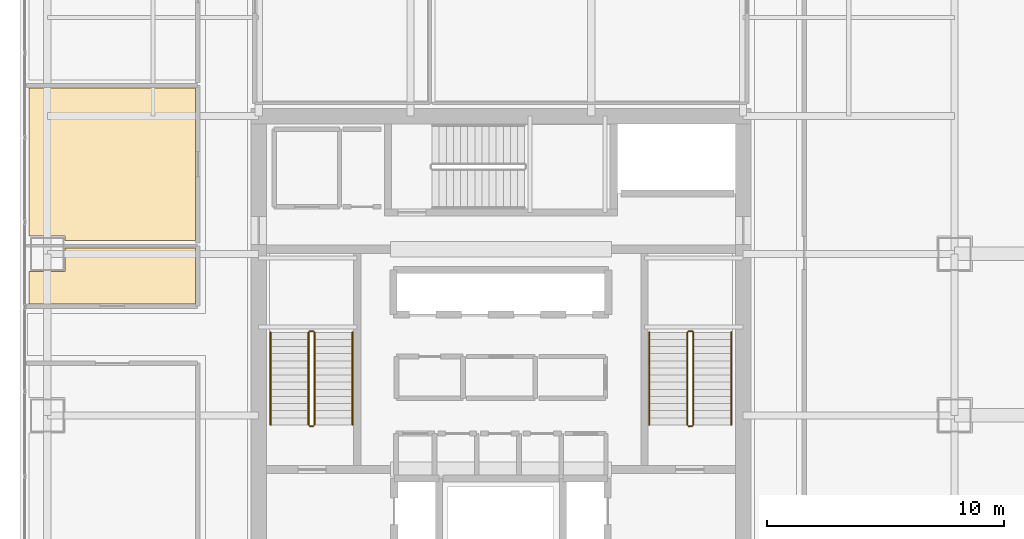
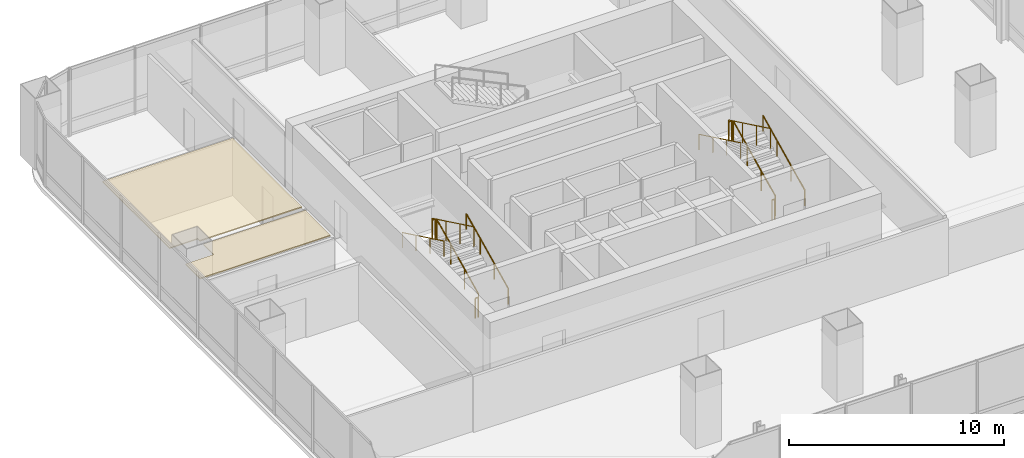
# One storey, part 33 of 36: 12 railings, 2 coverings.
"""IFC4 building model written with IfcOpenShell, lengths in metres."""

from ifc_helpers import new_model, si_unit, direction, frame, origin, origin_2d, place, context, subcontext, project, spatial, polyline, circle, outline, extrude, material, layer, layer_set, type_object, element, save


model = new_model("IFC4")

# Units and contexts
model_context = context("Model", 3, precision=1e-05, world=origin(), true_north=direction((0.0, 1.0)))
body_context = subcontext(model_context, "Body", "Model", "MODEL_VIEW")
ifc_project = project(units=[si_unit("LENGTHUNIT", "METRE"), si_unit("AREAUNIT", "SQUARE_METRE"), si_unit("VOLUMEUNIT", "CUBIC_METRE"), si_unit("PLANEANGLEUNIT", "RADIAN"), si_unit("MASSUNIT", "GRAM", prefix="KILO")], contexts=[model_context])

# Site, building, storey
site_placement = place(None, origin())
site = spatial("IfcSite", under=ifc_project, at=site_placement, CompositionType="ELEMENT")
building_placement = place(site_placement, origin())
building = spatial("IfcBuilding", under=site, at=building_placement, Name="Punatoya Terracotta Tower", CompositionType="ELEMENT")
storey_placement = place(building_placement, frame((0.0, 0.0, 212.699951171875)))
storey = spatial("IfcBuildingStorey", under=building, at=storey_placement, Name="L50", CompositionType="ELEMENT", Elevation=212.699951171875)

# Coverings
ifc_material_1 = material(Name="Acoustic Mineral Fibre Ceiling")
ifc_layer = layer(ifc_material_1, 0.06005859375)
ifc_layer_set = layer_set([ifc_layer], Name="Acoustic Mineral Fibre Ceiling")
covering_type = type_object("IfcCoveringType", Name="COV-CEIL-60", PredefinedType="CEILING", material=ifc_layer_set)
covering_1_placement = place(storey_placement, frame((0.0, 0.0, 3.219970703125)))
element("IfcCovering", 1, at=covering_1_placement, inside=storey, type_object=covering_type, Name="L50 Open-Plan Collaborative Workshop Room Acoustic Ceiling", PredefinedType="CEILING", context=body_context, shape_type="SweptSolid", body=[
    extrude(outline(polyline([(-19.8701171875, 2.64990234375), (-19.8701171875, 1.300048828125), (-12.8701171875, 1.300048828125), (-12.8701171875, 3.639892578125), (-18.35009765625, 3.639892578125), (-18.35009765625, 2.64990234375), (-19.8701171875, 2.64990234375)])), origin(), (0.0, 0.0, 1.0), 0.06005859375),
])
covering_2_placement = place(storey_placement, frame((0.0, 0.0, 3.219970703125)))
element("IfcCovering", 2, at=covering_2_placement, inside=storey, type_object=covering_type, Name="L50 Breakout Tea Pantry Acoustic Ceiling", PredefinedType="CEILING", context=body_context, shape_type="SweptSolid", body=[
    extrude(outline(polyline([(-19.8701171875, 4.14990234375), (-18.35009765625, 4.14990234375), (-18.35009765625, 3.9599609375), (-12.8701171875, 3.9599609375), (-12.8701171875, 10.39404296875), (-19.8701171875, 10.39404296875), (-19.8701171875, 4.14990234375)])), origin(), (0.0, 0.0, 1.0), 0.06005859375),
])

# Railings
ifc_material_2 = material(Name="Steel S355", Category="steel")
railing_type_1 = type_object("IfcRailingType", Name="RLG-GRD-1150", PredefinedType="GUARDRAIL", material=ifc_material_2)
railing_1_placement = place(storey_placement, frame((-7.85009765625, -3.800048828125, 0.144775390625)))
element("IfcRailing", 3, at=railing_1_placement, inside=storey, type_object=railing_type_1, Name="L50 ST-1 stair guard 1", PredefinedType="GUARDRAIL", context=body_context, shape_type="SweptSolid", body=[
    extrude(circle(Radius=0.02392578125, at=origin_2d()), frame((0.0, 0.0, 1.1259765625), z_axis=(0.0, 0.900773802044, 0.434288564841), x_axis=(-1.0, 0.0, 0.0)), (0.0, 0.0, 1.0), 4.329833984375),
    extrude(circle(Radius=0.02099609375, at=origin_2d()), origin(), (0.0, 0.0, 1.0), 1.101806640625),
    extrude(circle(Radius=0.02099609375, at=origin_2d()), frame((0.0, 1.300048828125, 0.626708984375)), (0.0, 0.0, 1.0), 1.101806640625),
    extrude(circle(Radius=0.02099609375, at=origin_2d()), frame((0.0, 2.60009765625, 1.253662109375)), (0.0, 0.0, 1.0), 1.101806640625),
    extrude(circle(Radius=0.02099609375, at=origin_2d()), frame((0.0, 3.900146484375, 1.88037109375)), (0.0, 0.0, 1.0), 1.101806640625),
])
railing_2_placement = place(storey_placement, frame((-7.89990234375, 0.14990234375, 2.025146484375)))
element("IfcRailing", 4, at=railing_2_placement, inside=storey, type_object=railing_type_1, Name="L50 ST-1 stair guard 2", PredefinedType="GUARDRAIL", context=body_context, shape_type="SweptSolid", body=[
    extrude(circle(Radius=0.02392578125, at=origin_2d()), frame((0.0, 0.0, 1.1259765625), z_axis=(-1.0, 0.0, 0.0), x_axis=(0.0, -1.0, 0.0)), (0.0, 0.0, 1.0), 0.150146484375),
    extrude(circle(Radius=0.02099609375, at=origin_2d()), origin(), (0.0, 0.0, 1.0), 1.101806640625),
    extrude(circle(Radius=0.02099609375, at=origin_2d()), frame((-0.150146484375, 0.0, 0.0)), (0.0, 0.0, 1.0), 1.101806640625),
])
railing_3_placement = place(storey_placement, frame((-8.10009765625, 0.10009765625, 2.169677734375)))
element("IfcRailing", 5, at=railing_3_placement, inside=storey, type_object=railing_type_1, Name="L50 ST-1 stair guard 3", PredefinedType="GUARDRAIL", context=body_context, shape_type="SweptSolid", body=[
    extrude(circle(Radius=0.02392578125, at=origin_2d()), frame((0.0, 0.0, 1.1259765625), z_axis=(0.0, -0.900773802044, 0.434288564841), x_axis=(1.0, 0.0, 0.0)), (0.0, 0.0, 1.0), 4.329833984375),
    extrude(circle(Radius=0.02099609375, at=origin_2d()), origin(), (0.0, 0.0, 1.0), 1.101806640625),
    extrude(circle(Radius=0.02099609375, at=origin_2d()), frame((0.0, -1.300048828125, 0.626708984375)), (0.0, 0.0, 1.0), 1.101806640625),
    extrude(circle(Radius=0.02099609375, at=origin_2d()), frame((0.0, -2.60009765625, 1.253662109375)), (0.0, 0.0, 1.0), 1.101806640625),
    extrude(circle(Radius=0.02099609375, at=origin_2d()), frame((0.0, -3.900146484375, 1.88037109375)), (0.0, 0.0, 1.0), 1.101806640625),
])
railing_4_placement = place(storey_placement, frame((-7.89990234375, -3.85009765625, 0.0)))
element("IfcRailing", 6, at=railing_4_placement, inside=storey, type_object=railing_type_1, Name="L50 ST-1 stair guard 4", PredefinedType="GUARDRAIL", context=body_context, shape_type="SweptSolid", body=[
    extrude(circle(Radius=0.02392578125, at=origin_2d()), frame((0.0, 0.0, 1.1259765625), z_axis=(-1.0, 0.0, 0.0), x_axis=(0.0, -1.0, 0.0)), (0.0, 0.0, 1.0), 0.150146484375),
    extrude(circle(Radius=0.02099609375, at=origin_2d()), origin(), (0.0, 0.0, 1.0), 1.101806640625),
    extrude(circle(Radius=0.02099609375, at=origin_2d()), frame((-0.150146484375, 0.0, 0.0)), (0.0, 0.0, 1.0), 1.101806640625),
])
railing_5_placement = place(storey_placement, frame((8.10009765625, -3.800048828125, 0.144775390625)))
element("IfcRailing", 7, at=railing_5_placement, inside=storey, type_object=railing_type_1, Name="L50 ST-2 stair guard 1", PredefinedType="GUARDRAIL", context=body_context, shape_type="SweptSolid", body=[
    extrude(circle(Radius=0.02392578125, at=origin_2d()), frame((0.0, 0.0, 1.1259765625), z_axis=(0.0, 0.900773802044, 0.434288564841), x_axis=(-1.0, 0.0, 0.0)), (0.0, 0.0, 1.0), 4.329833984375),
    extrude(circle(Radius=0.02099609375, at=origin_2d()), origin(), (0.0, 0.0, 1.0), 1.101806640625),
    extrude(circle(Radius=0.02099609375, at=origin_2d()), frame((0.0, 1.300048828125, 0.626708984375)), (0.0, 0.0, 1.0), 1.101806640625),
    extrude(circle(Radius=0.02099609375, at=origin_2d()), frame((0.0, 2.60009765625, 1.253662109375)), (0.0, 0.0, 1.0), 1.101806640625),
    extrude(circle(Radius=0.02099609375, at=origin_2d()), frame((0.0, 3.900146484375, 1.88037109375)), (0.0, 0.0, 1.0), 1.101806640625),
])
railing_6_placement = place(storey_placement, frame((8.050048828125, 0.14990234375, 2.025146484375)))
element("IfcRailing", 8, at=railing_6_placement, inside=storey, type_object=railing_type_1, Name="L50 ST-2 stair guard 2", PredefinedType="GUARDRAIL", context=body_context, shape_type="SweptSolid", body=[
    extrude(circle(Radius=0.02392578125, at=origin_2d()), frame((0.0, 0.0, 1.1259765625), z_axis=(-1.0, 0.0, 0.0), x_axis=(0.0, -1.0, 0.0)), (0.0, 0.0, 1.0), 0.150146484375),
    extrude(circle(Radius=0.02099609375, at=origin_2d()), origin(), (0.0, 0.0, 1.0), 1.101806640625),
    extrude(circle(Radius=0.02099609375, at=origin_2d()), frame((-0.150146484375, 0.0, 0.0)), (0.0, 0.0, 1.0), 1.101806640625),
])
railing_7_placement = place(storey_placement, frame((7.85009765625, 0.10009765625, 2.169677734375)))
element("IfcRailing", 9, at=railing_7_placement, inside=storey, type_object=railing_type_1, Name="L50 ST-2 stair guard 3", PredefinedType="GUARDRAIL", context=body_context, shape_type="SweptSolid", body=[
    extrude(circle(Radius=0.02392578125, at=origin_2d()), frame((0.0, 0.0, 1.1259765625), z_axis=(0.0, -0.900773802044, 0.434288564841), x_axis=(1.0, 0.0, 0.0)), (0.0, 0.0, 1.0), 4.329833984375),
    extrude(circle(Radius=0.02099609375, at=origin_2d()), origin(), (0.0, 0.0, 1.0), 1.101806640625),
    extrude(circle(Radius=0.02099609375, at=origin_2d()), frame((0.0, -1.300048828125, 0.626708984375)), (0.0, 0.0, 1.0), 1.101806640625),
    extrude(circle(Radius=0.02099609375, at=origin_2d()), frame((0.0, -2.60009765625, 1.253662109375)), (0.0, 0.0, 1.0), 1.101806640625),
    extrude(circle(Radius=0.02099609375, at=origin_2d()), frame((0.0, -3.900146484375, 1.88037109375)), (0.0, 0.0, 1.0), 1.101806640625),
])
railing_8_placement = place(storey_placement, frame((8.050048828125, -3.85009765625, 0.0)))
element("IfcRailing", 10, at=railing_8_placement, inside=storey, type_object=railing_type_1, Name="L50 ST-2 stair guard 4", PredefinedType="GUARDRAIL", context=body_context, shape_type="SweptSolid", body=[
    extrude(circle(Radius=0.02392578125, at=origin_2d()), frame((0.0, 0.0, 1.1259765625), z_axis=(-1.0, 0.0, 0.0), x_axis=(0.0, -1.0, 0.0)), (0.0, 0.0, 1.0), 0.150146484375),
    extrude(circle(Radius=0.02099609375, at=origin_2d()), origin(), (0.0, 0.0, 1.0), 1.101806640625),
    extrude(circle(Radius=0.02099609375, at=origin_2d()), frame((-0.150146484375, 0.0, 0.0)), (0.0, 0.0, 1.0), 1.101806640625),
])
railing_type_2 = type_object("IfcRailingType", Name="RLG-HND-900", PredefinedType="HANDRAIL", material=ifc_material_2)
railing_9_placement = place(storey_placement, frame((-6.25, -3.800048828125, 0.144775390625)))
element("IfcRailing", 11, at=railing_9_placement, inside=storey, type_object=railing_type_2, Name="L50 ST-1 stair handrail 1", PredefinedType="HANDRAIL", context=body_context, shape_type="SweptSolid", body=[
    extrude(circle(Radius=0.02392578125, at=origin_2d()), frame((0.0, 0.0, 0.8759765625), z_axis=(0.0, 0.900773802044, 0.434288564841), x_axis=(-1.0, 0.0, 0.0)), (0.0, 0.0, 1.0), 4.329833984375),
    extrude(circle(Radius=0.02099609375, at=origin_2d()), origin(), (0.0, 0.0, 1.0), 0.851806640625),
    extrude(circle(Radius=0.02099609375, at=origin_2d()), frame((0.0, 1.300048828125, 0.626708984375)), (0.0, 0.0, 1.0), 0.851806640625),
    extrude(circle(Radius=0.02099609375, at=origin_2d()), frame((0.0, 2.60009765625, 1.253662109375)), (0.0, 0.0, 1.0), 0.851806640625),
    extrude(circle(Radius=0.02099609375, at=origin_2d()), frame((0.0, 3.900146484375, 1.88037109375)), (0.0, 0.0, 1.0), 0.851806640625),
])
railing_10_placement = place(storey_placement, frame((-9.699951171875, 0.10009765625, 2.169677734375)))
element("IfcRailing", 12, at=railing_10_placement, inside=storey, type_object=railing_type_2, Name="L50 ST-1 stair handrail 2", PredefinedType="HANDRAIL", context=body_context, shape_type="SweptSolid", body=[
    extrude(circle(Radius=0.02392578125, at=origin_2d()), frame((0.0, 0.0, 0.8759765625), z_axis=(0.0, -0.900773802044, 0.434288564841), x_axis=(1.0, 0.0, 0.0)), (0.0, 0.0, 1.0), 4.329833984375),
    extrude(circle(Radius=0.02099609375, at=origin_2d()), origin(), (0.0, 0.0, 1.0), 0.851806640625),
    extrude(circle(Radius=0.02099609375, at=origin_2d()), frame((0.0, -1.300048828125, 0.626708984375)), (0.0, 0.0, 1.0), 0.851806640625),
    extrude(circle(Radius=0.02099609375, at=origin_2d()), frame((0.0, -2.60009765625, 1.253662109375)), (0.0, 0.0, 1.0), 0.851806640625),
    extrude(circle(Radius=0.02099609375, at=origin_2d()), frame((0.0, -3.900146484375, 1.88037109375)), (0.0, 0.0, 1.0), 0.851806640625),
])
railing_11_placement = place(storey_placement, frame((9.699951171875, -3.800048828125, 0.144775390625)))
element("IfcRailing", 13, at=railing_11_placement, inside=storey, type_object=railing_type_2, Name="L50 ST-2 stair handrail 1", PredefinedType="HANDRAIL", context=body_context, shape_type="SweptSolid", body=[
    extrude(circle(Radius=0.02392578125, at=origin_2d()), frame((0.0, 0.0, 0.8759765625), z_axis=(0.0, 0.900773802044, 0.434288564841), x_axis=(-1.0, 0.0, 0.0)), (0.0, 0.0, 1.0), 4.329833984375),
    extrude(circle(Radius=0.02099609375, at=origin_2d()), origin(), (0.0, 0.0, 1.0), 0.851806640625),
    extrude(circle(Radius=0.02099609375, at=origin_2d()), frame((0.0, 1.300048828125, 0.626708984375)), (0.0, 0.0, 1.0), 0.851806640625),
    extrude(circle(Radius=0.02099609375, at=origin_2d()), frame((0.0, 2.60009765625, 1.253662109375)), (0.0, 0.0, 1.0), 0.851806640625),
    extrude(circle(Radius=0.02099609375, at=origin_2d()), frame((0.0, 3.900146484375, 1.88037109375)), (0.0, 0.0, 1.0), 0.851806640625),
])
railing_12_placement = place(storey_placement, frame((6.25, 0.10009765625, 2.169677734375)))
element("IfcRailing", 14, at=railing_12_placement, inside=storey, type_object=railing_type_2, Name="L50 ST-2 stair handrail 2", PredefinedType="HANDRAIL", context=body_context, shape_type="SweptSolid", body=[
    extrude(circle(Radius=0.02392578125, at=origin_2d()), frame((0.0, 0.0, 0.8759765625), z_axis=(0.0, -0.900773802044, 0.434288564841), x_axis=(1.0, 0.0, 0.0)), (0.0, 0.0, 1.0), 4.329833984375),
    extrude(circle(Radius=0.02099609375, at=origin_2d()), origin(), (0.0, 0.0, 1.0), 0.851806640625),
    extrude(circle(Radius=0.02099609375, at=origin_2d()), frame((0.0, -1.300048828125, 0.626708984375)), (0.0, 0.0, 1.0), 0.851806640625),
    extrude(circle(Radius=0.02099609375, at=origin_2d()), frame((0.0, -2.60009765625, 1.253662109375)), (0.0, 0.0, 1.0), 0.851806640625),
    extrude(circle(Radius=0.02099609375, at=origin_2d()), frame((0.0, -3.900146484375, 1.88037109375)), (0.0, 0.0, 1.0), 0.851806640625),
])

save(model, "model.ifc")
